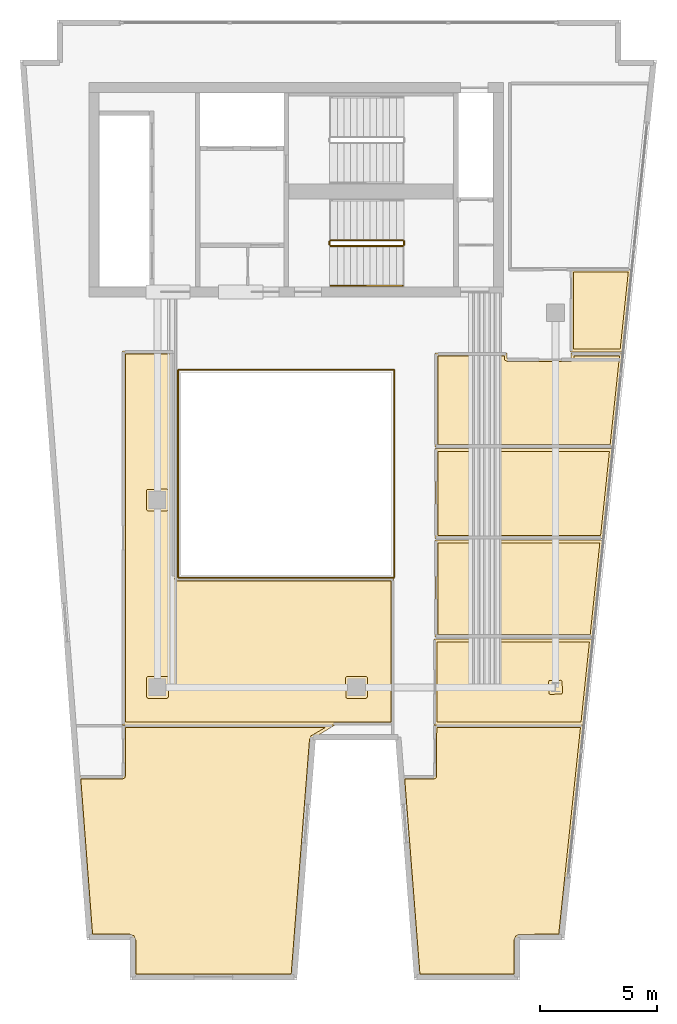
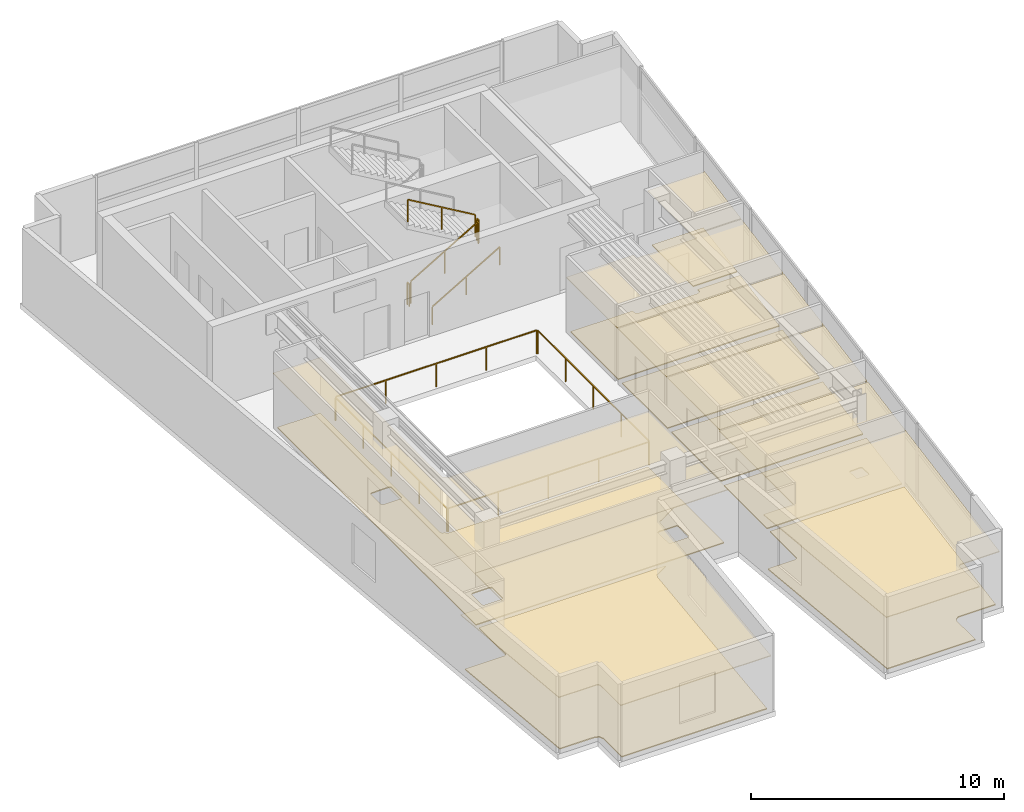
# One storey, part 5 of 6: 16 coverings, 9 railings.
"""IFC4 building model written with IfcOpenShell, lengths in metres."""

import ifcopenshell
import ifcopenshell.guid

model = None  # the IFC model being written
_history = None  # IfcOwnerHistory: only IFC2X3 demands one
_inside = {}  # id of a spatial element -> (the spatial element, [elements in it])
_under = {}  # id of a project, library or spatial element -> (it, [spatial elements below it])
_declared = {}  # id of a project -> (the project, [libraries it declares])
_typed = {}  # id of a type object -> (the type object, [elements of that type])
_made_of = {}  # id of a material, layer set ... -> (it, [elements and type objects made of it])


def new_model(schema):
    """Start an empty IFC model of exactly this schema.

    Asked for "IFC4X3", IfcOpenShell would pick the latest addendum, in which some entities
    have other attributes; the version numbers below select the first issue.
    IFC2X3 requires an IfcOwnerHistory on every rooted entity: one is made here for all.
    """
    global model, _history
    if schema == "IFC4X3":
        model = ifcopenshell.file(schema_version=(4, 3, 0, 0))
    else:
        model = ifcopenshell.file(schema=schema)
    _inside.clear()
    _under.clear()
    _declared.clear()
    _typed.clear()
    _made_of.clear()
    _history = None
    if model.schema == "IFC2X3":
        org = make("IfcOrganization", Name="unknown")
        user = make(
            "IfcPersonAndOrganization",
            ThePerson=make("IfcPerson", FamilyName="unknown"),
            TheOrganization=org,
        )
        app = make(
            "IfcApplication",
            ApplicationDeveloper=org,
            Version="unknown",
            ApplicationFullName="unknown",
            ApplicationIdentifier="unknown",
        )
        _history = make(
            "IfcOwnerHistory",
            OwningUser=user,
            OwningApplication=app,
            ChangeAction="ADDED",
            CreationDate=0,
        )
    return model


def make(cls, **values):
    """One entity of the class cls with the attributes given. An attribute that is None is left unset."""
    return model.create_entity(
        cls, **{name: value for name, value in values.items() if value is not None}
    )


def rooted(cls, **values):
    """An entity with a GlobalId (a new one), such as an element, a storey or a relation."""
    return make(cls, GlobalId=ifcopenshell.guid.new(), OwnerHistory=_history, **values)


def si_unit(unit_type, name, prefix=None):
    """IfcSIUnit, for example si_unit("LENGTHUNIT", "METRE", prefix="MILLI")."""
    return make("IfcSIUnit", UnitType=unit_type, Prefix=prefix, Name=name)


def assignment(units):
    """IfcUnitAssignment: the units of a project."""
    return None if units is None else make("IfcUnitAssignment", Units=units)


def point(xyz):
    """IfcCartesianPoint."""
    return None if xyz is None else make("IfcCartesianPoint", Coordinates=xyz)


def direction(xyz):
    """IfcDirection."""
    return None if xyz is None else make("IfcDirection", DirectionRatios=xyz)


def frame(location, z_axis=None, x_axis=None):
    """IfcAxis2Placement3D, a coordinate frame: its origin and axes. An axis left out is left unset."""
    return make(
        "IfcAxis2Placement3D",
        Location=point(location),
        Axis=direction(z_axis),
        RefDirection=direction(x_axis),
    )


def frame_2d(location, x_axis=None):
    """IfcAxis2Placement2D, a coordinate frame in the plane: its origin and x axis."""
    return make(
        "IfcAxis2Placement2D", Location=point(location), RefDirection=direction(x_axis)
    )


def origin():
    """The frame at (0, 0, 0) with its axes left unset."""
    return frame((0.0, 0.0, 0.0))


def origin_2d():
    """The frame at (0, 0) in the plane with its x axis left unset."""
    return frame_2d((0.0, 0.0))


def place(relative_to, where):
    """IfcLocalPlacement: puts the frame where relative to a parent placement (None: the world)."""
    return make(
        "IfcLocalPlacement", PlacementRelTo=relative_to, RelativePlacement=where
    )


def context(
    kind, dimensions, precision=None, world=None, true_north=None, identifier=None
):
    """IfcGeometricRepresentationContext, for example the 3D "Model" context."""
    return make(
        "IfcGeometricRepresentationContext",
        ContextIdentifier=identifier,
        ContextType=kind,
        CoordinateSpaceDimension=dimensions,
        Precision=precision,
        WorldCoordinateSystem=world,
        TrueNorth=true_north,
    )


def subcontext(parent, identifier, kind, view, scale=None):
    """IfcGeometricRepresentationSubContext, for example "Body" below "Model"."""
    return make(
        "IfcGeometricRepresentationSubContext",
        ContextIdentifier=identifier,
        ContextType=kind,
        ParentContext=parent,
        TargetScale=scale,
        TargetView=view,
    )


def project(units=None, contexts=None):
    """IfcProject with its units and contexts."""
    return rooted(
        "IfcProject",
        Name="project",
        RepresentationContexts=contexts,
        UnitsInContext=assignment(units),
    )


def spatial(cls, under=None, at=None, **own):
    """A site, building, storey or space (cls), placed at a placement, below another one or the project."""
    s = rooted(cls, ObjectPlacement=at, **own)
    if under is not None:
        _under.setdefault(under.id(), (under, []))[1].append(s)
    return s


def polyline(points):
    """IfcPolyline through the points."""
    return make("IfcPolyline", Points=[point(p) for p in points])


def profile(cls, at=None, kind="AREA", **sizes):
    """A parametric profile (cls). Its sizes go by their IFC names, for example OverallWidth=200.0."""
    return make(cls, ProfileType=kind, Position=at, **sizes)


def rectangle(**sizes):
    """IfcRectangleProfileDef."""
    return profile("IfcRectangleProfileDef", **sizes)


def outline(outer, holes=None, kind="AREA"):
    """IfcArbitraryClosedProfileDef: a profile drawn as a closed curve; with holes, ...WithVoids."""
    if holes is None:
        return make("IfcArbitraryClosedProfileDef", ProfileType=kind, OuterCurve=outer)
    return make(
        "IfcArbitraryProfileDefWithVoids",
        ProfileType=kind,
        OuterCurve=outer,
        InnerCurves=holes,
    )


def extrude(swept, where, along, depth):
    """IfcExtrudedAreaSolid: the profile swept, set in the frame where, extruded along a direction by depth."""
    return make(
        "IfcExtrudedAreaSolid",
        SweptArea=swept,
        Position=where,
        ExtrudedDirection=direction(along),
        Depth=depth,
    )


def shape(context_of_items, identifier, shape_type, items):
    """IfcShapeRepresentation: the items that make up one representation, for example the "Body"."""
    return make(
        "IfcShapeRepresentation",
        ContextOfItems=context_of_items,
        RepresentationIdentifier=identifier,
        RepresentationType=shape_type,
        Items=items,
    )


def material(Name=None, Category=None):
    """IfcMaterial."""
    return make("IfcMaterial", Name=Name, Category=Category)


def layer(
    of_material, thickness, ventilated=None, Name=None, Category=None, Priority=None
):
    """IfcMaterialLayer: one layer of a wall or slab, of a material (None: an air gap)."""
    return make(
        "IfcMaterialLayer",
        Material=of_material,
        LayerThickness=thickness,
        IsVentilated=ventilated,
        Name=Name,
        Category=Category,
        Priority=Priority,
    )


def layer_set(layers, Name=None):
    """IfcMaterialLayerSet."""
    return make("IfcMaterialLayerSet", MaterialLayers=layers, LayerSetName=Name)


def made_of(thing, what):
    """Note that an element or type object is made of a material, layer set ...; save() writes the relation."""
    if what is not None:
        _made_of.setdefault(what.id(), (what, []))[1].append(thing)
    return thing


def type_object(cls, material=None, **own):
    """A type object (cls), such as IfcWallType, which elements share."""
    return made_of(rooted(cls, **own), material)


def element(
    cls,
    number,
    at=None,
    inside=None,
    cuts=None,
    type_object=None,
    material=None,
    context=None,
    identifier="Body",
    shape_type=None,
    held_by="IfcProductDefinitionShape",
    body=None,
    shapes=None,
    **own,
):
    """One element of the class cls, such as IfcWall. Its Tag is "e" and its number.

    at: its placement. inside: the storey or other place that contains it. cuts: it is an
    opening in that element (IfcRelVoidsElement). A single representation is given by context,
    identifier, shape_type and body (its items); several are given by shapes. held_by: the class
    of the entity that holds the representations. save() writes the other relations.
    """
    e = rooted(cls, Tag="e%d" % number, ObjectPlacement=at, **own)
    if body is not None:
        shapes = [shape(context, identifier, shape_type, body)]
    if shapes is not None:
        e.Representation = make(held_by, Representations=shapes)
    if inside is not None:
        _inside.setdefault(inside.id(), (inside, []))[1].append(e)
    if cuts is not None:
        rooted(
            "IfcRelVoidsElement", RelatingBuildingElement=cuts, RelatedOpeningElement=e
        )
    if type_object is not None:
        _typed.setdefault(type_object.id(), (type_object, []))[1].append(e)
    return made_of(e, material)


def aggregate(whole, parts):
    """IfcRelAggregates: a whole, such as a stair, and the parts it consists of."""
    return rooted("IfcRelAggregates", RelatingObject=whole, RelatedObjects=parts)


def save(model, path):
    """Write the relations noted so far, then the file.

    IfcRelAggregates (storeys below a building ...), IfcRelContainedInSpatialStructure (elements
    in a storey), IfcRelDefinesByType, IfcRelAssociatesMaterial and IfcRelDeclares: one each for
    every whole, place, type object, material and project.
    """
    for whole, parts in _under.values():
        aggregate(whole, parts)
    for where, things in _inside.values():
        rooted(
            "IfcRelContainedInSpatialStructure",
            RelatedElements=things,
            RelatingStructure=where,
        )
    for kind, things in _typed.values():
        rooted("IfcRelDefinesByType", RelatedObjects=things, RelatingType=kind)
    for what, things in _made_of.values():
        rooted("IfcRelAssociatesMaterial", RelatedObjects=things, RelatingMaterial=what)
    for by, libraries in _declared.values():
        rooted("IfcRelDeclares", RelatingContext=by, RelatedDefinitions=libraries)
    model.write(path)


model = new_model("IFC4")

# Units and contexts
model_context = context("Model", 3, precision=1e-05, world=origin(), true_north=direction((0.0, 1.0)))
body_context = subcontext(model_context, "Body", "Model", "MODEL_VIEW")
ifc_project = project(units=[si_unit("LENGTHUNIT", "METRE"), si_unit("AREAUNIT", "SQUARE_METRE"), si_unit("VOLUMEUNIT", "CUBIC_METRE"), si_unit("PLANEANGLEUNIT", "RADIAN"), si_unit("MASSUNIT", "GRAM", prefix="KILO")], contexts=[model_context])

# Site, building, storey
site_placement = place(None, origin())
site = spatial("IfcSite", under=ifc_project, at=site_placement, CompositionType="ELEMENT")
building_placement = place(site_placement, origin())
building = spatial("IfcBuilding", under=site, at=building_placement, Name="Caeloran Harvest Quay", CompositionType="ELEMENT")
storey_placement = place(building_placement, frame((0.0, 0.0, 280.39990234375)))
storey = spatial("IfcBuildingStorey", under=building, at=storey_placement, Name="L67", CompositionType="ELEMENT", Elevation=280.39990234375)

# Coverings
ifc_material_1 = material(Name="Perforated Mineral-Fibre Acoustic Ceiling Tile", Category="ceiling")
ifc_layer_1 = layer(ifc_material_1, 0.0400390625, Name="Perforated Mineral-Fibre Acoustic Ceiling Tile")
ifc_layer_set_1 = layer_set([ifc_layer_1], Name="Perforated Mineral-Fibre Acoustic Ceiling Tile")
covering_type_1 = type_object("IfcCoveringType", Name="COV-CEILING-ACOUSTIC", PredefinedType="CEILING", material=ifc_layer_set_1)
covering_1_placement = place(storey_placement, frame((0.0, 0.0, 2.60009765625)))
element("IfcCovering", 1, at=covering_1_placement, inside=storey, type_object=covering_type_1, Name="L67 Male Washroom WC Acoustic Ceiling", PredefinedType="CEILING", context=body_context, shape_type="SweptSolid", body=[
    extrude(outline(polyline([(23.429931640625, 29.280029296875), (23.43017578125, 29.048095703125), (23.450927734375, 29.030029296875), (26.152099609375, 29.030029296875), (26.169921875, 29.048095703125), (26.169921875, 29.280029296875), (28.365478515625, 29.280029296875), (27.943359375, 25.260009765625), (20.360107421875, 25.260009765625), (20.360107421875, 29.280029296875), (23.429931640625, 29.280029296875)])), origin(), (0.0, 0.0, 1.0), 0.0400390625),
])
covering_2_placement = place(storey_placement, frame((0.0, 0.0, 2.60009765625)))
element("IfcCovering", 2, at=covering_2_placement, inside=storey, type_object=covering_type_1, Name="L67 Female Washroom WC Acoustic Ceiling", PredefinedType="CEILING", context=body_context, shape_type="SweptSolid", body=[
    extrude(outline(polyline([(27.93603515625, 25.18994140625), (27.53369140625, 21.360107421875), (20.360107421875, 21.360107421875), (20.360107421875, 25.18994140625), (27.93603515625, 25.18994140625)])), origin(), (0.0, 0.0, 1.0), 0.0400390625),
])
covering_3_placement = place(storey_placement, frame((0.0, 0.0, 2.60009765625)))
element("IfcCovering", 3, at=covering_3_placement, inside=storey, type_object=covering_type_1, Name="L67 Accessible Unisex Washroom WC Acoustic Ceiling", PredefinedType="CEILING", context=body_context, shape_type="SweptSolid", body=[
    extrude(outline(polyline([(27.5263671875, 21.2900390625), (27.090576171875, 17.139892578125), (20.360107421875, 17.139892578125), (20.360107421875, 21.2900390625), (27.5263671875, 21.2900390625)])), origin(), (0.0, 0.0, 1.0), 0.0400390625),
])
covering_4_placement = place(storey_placement, frame((0.0, 0.0, 2.60009765625)))
element("IfcCovering", 4, at=covering_4_placement, inside=storey, type_object=covering_type_1, Name="Executive Sky-Floor Office Acoustic Ceiling", PredefinedType="CEILING", context=body_context, shape_type="SweptSolid", body=[
    extrude(outline(polyline([(7.010009765625, 11.2099609375), (7.010009765625, 13.39990234375), (16.09521484375, 13.39990234375), (15.251708984375, 12.889892578125), (15.1728515625, 12.86572265625), (15.134033203125, 12.826171875), (15.11376953125, 12.774658203125), (14.322021484375, 2.639892578125), (7.45849609375, 2.639892578125), (7.45849609375, 4.198974609375), (7.44775390625, 4.253662109375), (7.41748046875, 4.299072265625), (7.3720703125, 4.329345703125), (7.3173828125, 4.340087890625), (5.618896484375, 4.340087890625), (5.096435546875, 11.2099609375), (7.010009765625, 11.2099609375)])), origin(), (0.0, 0.0, 1.0), 0.0400390625),
])
covering_5_placement = place(storey_placement, frame((0.0, 0.0, 2.60009765625)))
element("IfcCovering", 5, at=covering_5_placement, inside=storey, type_object=covering_type_1, Name="Strategic Foresight Laboratory Acoustic Ceiling", PredefinedType="CEILING", context=body_context, shape_type="SweptSolid", body=[
    extrude(outline(polyline([(20.31005859375, 11.2099609375), (20.31005859375, 13.39990234375), (26.697509765625, 13.39990234375), (25.74609375, 4.340087890625), (23.994384765625, 4.340087890625), (23.90478515625, 4.30810546875), (23.8642578125, 4.253662109375), (23.853515625, 4.198974609375), (23.853515625, 2.639892578125), (19.599853515625, 2.639892578125), (18.930908203125, 11.2099609375), (20.31005859375, 11.2099609375)])), origin(), (0.0, 0.0, 1.0), 0.0400390625),
])
covering_6_placement = place(storey_placement, frame((0.0, 0.0, 2.60009765625)))
element("IfcCovering", 6, at=covering_6_placement, inside=storey, type_object=covering_type_1, Name="Chairman Corner Office Acoustic Ceiling", PredefinedType="CEILING", context=body_context, shape_type="SweptSolid", body=[
    extrude(outline(polyline([(20.31005859375, 17.06005859375), (27.08203125, 17.06005859375), (26.697509765625, 13.39990234375), (20.31005859375, 13.39990234375), (20.31005859375, 17.06005859375)])), origin(), (0.0, 0.0, 1.0), 0.0400390625),
])
covering_7_placement = place(storey_placement, frame((0.0, 0.0, 2.60009765625)))
element("IfcCovering", 7, at=covering_7_placement, inside=storey, type_object=covering_type_1, Name="Managing Principal Office Acoustic Ceiling", PredefinedType="CEILING", context=body_context, shape_type="SweptSolid", body=[
    extrude(outline(polyline([(9.310791015625, 19.753173828125), (9.360107421875, 19.68701171875), (9.360107421875, 19.659912109375), (18.590087890625, 19.659912109375), (18.590087890625, 13.39990234375), (7.010009765625, 13.39990234375), (7.010009765625, 29.360107421875), (9.2099609375, 29.360107421875), (9.2099609375, 19.760009765625), (9.310791015625, 19.753173828125)])), origin(), (0.0, 0.0, 1.0), 0.0400390625),
])
covering_8_placement = place(storey_placement, frame((0.0, 0.0, 2.60009765625)))
element("IfcCovering", 8, at=covering_8_placement, inside=storey, type_object=covering_type_1, Name="Executive Sky-Floor Office 5 Acoustic Ceiling", PredefinedType="CEILING", context=body_context, shape_type="SweptSolid", body=[
    extrude(outline(polyline([(26.139892578125, 32.798095703125), (26.12158203125, 32.85009765625), (28.740478515625, 32.85009765625), (28.370849609375, 29.330078125), (26.139892578125, 29.330078125), (26.139892578125, 32.798095703125)])), origin(), (0.0, 0.0, 1.0), 0.0400390625),
])
ifc_material_2 = material(Name="Calcium-Sulphate Raised Access Floor and Terrazzo Finish", Category="flooring")
ifc_layer_2 = layer(ifc_material_2, 0.050048828125, Name="Calcium-Sulphate Raised Access Floor and Terrazzo Finish")
ifc_layer_set_2 = layer_set([ifc_layer_2], Name="Calcium-Sulphate Raised Access Floor and Terrazzo Finish")
covering_type_2 = type_object("IfcCoveringType", Name="COV-FLOOR-RAISED", PredefinedType="FLOORING", material=ifc_layer_set_2)
covering_9_placement = place(storey_placement, origin())
element("IfcCovering", 9, at=covering_9_placement, inside=storey, type_object=covering_type_2, Name="L67 Male Washroom WC Raised Finish Flooring", PredefinedType="FLOORING", context=body_context, shape_type="SweptSolid", body=[
    extrude(outline(polyline([(23.31005859375, 29.159912109375), (23.32861328125, 28.980712890625), (23.449951171875, 28.909912109375), (26.159912109375, 28.910400390625), (26.275146484375, 28.987548828125), (26.2900390625, 29.159912109375), (28.232421875, 29.159912109375), (27.835205078125, 25.3798828125), (20.47998046875, 25.3798828125), (20.47998046875, 29.159912109375), (23.31005859375, 29.159912109375)])), origin(), (0.0, 0.0, 1.0), 0.050048828125),
])
covering_10_placement = place(storey_placement, origin())
element("IfcCovering", 10, at=covering_10_placement, inside=storey, type_object=covering_type_2, Name="L67 Female Washroom WC Raised Finish Flooring", PredefinedType="FLOORING", context=body_context, shape_type="SweptSolid", body=[
    extrude(outline(polyline([(27.802734375, 25.070068359375), (27.42578125, 21.47998046875), (20.47998046875, 21.47998046875), (20.47998046875, 25.070068359375), (27.802734375, 25.070068359375)])), origin(), (0.0, 0.0, 1.0), 0.050048828125),
])
covering_11_placement = place(storey_placement, origin())
element("IfcCovering", 11, at=covering_11_placement, inside=storey, type_object=covering_type_2, Name="L67 Accessible Unisex Washroom WC Raised Finish Flooring", PredefinedType="FLOORING", context=body_context, shape_type="SweptSolid", body=[
    extrude(outline(polyline([(27.39306640625, 21.169921875), (26.982421875, 17.260009765625), (20.47998046875, 17.260009765625), (20.47998046875, 21.169921875), (27.39306640625, 21.169921875)])), origin(), (0.0, 0.0, 1.0), 0.050048828125),
])
covering_12_placement = place(storey_placement, origin())
element("IfcCovering", 12, at=covering_12_placement, inside=storey, type_object=covering_type_2, Name="Executive Sky-Floor Office Raised Finish Flooring", PredefinedType="FLOORING", context=body_context, shape_type="SweptSolid", body=[
    extrude(outline(polyline([(15.664794921875, 13.280029296875), (15.06298828125, 12.928955078125), (14.9921875, 12.770263671875), (14.2109375, 2.760009765625), (7.57861328125, 2.760009765625), (7.578369140625, 4.203857421875), (7.49951171875, 4.38671875), (7.322509765625, 4.4599609375), (5.730224609375, 4.4599609375), (5.225830078125, 11.090087890625), (7.02001953125, 11.090087890625), (7.1025390625, 11.127197265625), (7.1298828125, 11.199951171875), (7.1298828125, 13.280029296875), (15.664794921875, 13.280029296875)])), origin(), (0.0, 0.0, 1.0), 0.050048828125),
])
covering_13_placement = place(storey_placement, origin())
element("IfcCovering", 13, at=covering_13_placement, inside=storey, type_object=covering_type_2, Name="Strategic Foresight Laboratory Raised Finish Flooring", PredefinedType="FLOORING", context=body_context, shape_type="SweptSolid", body=[
    extrude(outline(polyline([(23.921875, 4.449951171875), (23.795166015625, 4.367919921875), (23.735107421875, 4.2294921875), (23.7333984375, 2.760009765625), (19.710693359375, 2.760009765625), (19.060546875, 11.090087890625), (20.323974609375, 11.090087890625), (20.41357421875, 11.14208984375), (20.429931640625, 13.280029296875), (26.564453125, 13.280029296875), (25.637939453125, 4.4599609375), (23.921875, 4.449951171875)])), origin(), (0.0, 0.0, 1.0), 0.050048828125),
])
covering_14_placement = place(storey_placement, origin())
element("IfcCovering", 14, at=covering_14_placement, inside=storey, type_object=covering_type_2, Name="Chairman Corner Office Raised Finish Flooring", PredefinedType="FLOORING", context=body_context, shape_type="SweptSolid", body=[
    extrude(outline(polyline([(20.429931640625, 13.52001953125), (20.429931640625, 16.93994140625), (26.94873046875, 16.93994140625), (26.589599609375, 13.52001953125), (20.429931640625, 13.52001953125)]), holes=[polyline([(25.202392578125, 15.230712890625), (25.22021484375, 14.726318359375), (25.274169921875, 14.697509765625), (25.768798828125, 14.715087890625), (25.798095703125, 14.777099609375), (25.77978515625, 15.273681640625), (25.718017578125, 15.302978515625), (25.231201171875, 15.284912109375), (25.202392578125, 15.230712890625)])]), origin(), (0.0, 0.0, 1.0), 0.050048828125),
])
covering_15_placement = place(storey_placement, origin())
element("IfcCovering", 15, at=covering_15_placement, inside=storey, type_object=covering_type_2, Name="Managing Principal Office Raised Finish Flooring", PredefinedType="FLOORING", context=body_context, shape_type="SweptSolid", body=[
    extrude(outline(polyline([(9.240478515625, 19.639892578125), (9.275146484375, 19.569580078125), (9.35009765625, 19.5400390625), (18.469970703125, 19.5400390625), (18.469970703125, 13.52001953125), (7.1298828125, 13.52001953125), (7.1298828125, 29.239990234375), (9.090087890625, 29.239990234375), (9.090087890625, 19.75), (9.1357421875, 19.660888671875), (9.240478515625, 19.639892578125)]), holes=[polyline([(16.530029296875, 15.389892578125), (16.548095703125, 14.55908203125), (16.602294921875, 14.530517578125), (17.389892578125, 14.530029296875), (17.446533203125, 14.553466796875), (17.469970703125, 14.610107421875), (17.469970703125, 15.389892578125), (17.446533203125, 15.446533203125), (17.389892578125, 15.469970703125), (16.610107421875, 15.469970703125), (16.553466796875, 15.446533203125), (16.530029296875, 15.389892578125)]), polyline([(8.030029296875, 14.610107421875), (8.053466796875, 14.553466796875), (8.102294921875, 14.530517578125), (8.889892578125, 14.530029296875), (8.946533203125, 14.553466796875), (8.969970703125, 14.610107421875), (8.969970703125, 15.389892578125), (8.946533203125, 15.446533203125), (8.889892578125, 15.469970703125), (8.110107421875, 15.469970703125), (8.053466796875, 15.446533203125), (8.030029296875, 15.389892578125), (8.030029296875, 14.610107421875)]), polyline([(8.889892578125, 23.469970703125), (8.05908203125, 23.451904296875), (8.030517578125, 23.397705078125), (8.030029296875, 22.610107421875), (8.053466796875, 22.553466796875), (8.110107421875, 22.530029296875), (8.889892578125, 22.530029296875), (8.946533203125, 22.553466796875), (8.969970703125, 22.610107421875), (8.969970703125, 23.389892578125), (8.946533203125, 23.446533203125), (8.889892578125, 23.469970703125)])]), origin(), (0.0, 0.0, 1.0), 0.050048828125),
])
covering_16_placement = place(storey_placement, origin())
element("IfcCovering", 16, at=covering_16_placement, inside=storey, type_object=covering_type_2, Name="Executive Sky-Floor Office 5 Raised Finish Flooring", PredefinedType="FLOORING", context=body_context, shape_type="SweptSolid", body=[
    extrude(outline(polyline([(26.260009765625, 32.72998046875), (28.607421875, 32.72998046875), (28.2626953125, 29.449951171875), (26.260009765625, 29.449951171875), (26.260009765625, 32.72998046875)])), origin(), (0.0, 0.0, 1.0), 0.050048828125),
])

# Railings
ifc_material_3 = material(Name="Powder-Coated Steel Post and Laminated Glass Guardrail", Category="steel")
ifc_layer_3 = layer(ifc_material_3, 0.06005859375, Name="Powder-Coated Steel Post and Laminated Glass Guardrail")
ifc_layer_set_3 = layer_set([ifc_layer_3], Name="Powder-Coated Steel Post and Laminated Glass Guardrail")
railing_type_1 = type_object("IfcRailingType", Name="GUARD-ATRIUM-1150", PredefinedType="GUARDRAIL", material=ifc_layer_set_3)
railing_1_placement = place(storey_placement, frame((9.412109375, 19.679931640625, 0.0)))
element("IfcRailing", 17, at=railing_1_placement, inside=storey, type_object=railing_type_1, Name="L67 Skylit Atrium Void Perimeter Guardrail Seg 1", PredefinedType="GUARDRAIL", context=body_context, shape_type="SweptSolid", body=[
    extrude(rectangle(XDim=0.048095703125, YDim=0.048095703125, at=origin_2d()), frame((0.0, 0.0, 1.1259765625), z_axis=(1.0, 0.0, 0.0), x_axis=(0.0, 1.0, 0.0)), (0.0, 0.0, 1.0), 9.17578125),
    extrude(rectangle(XDim=0.0419921875, YDim=0.0419921875, at=origin_2d()), origin(), (0.0, 0.0, 1.0), 1.101806640625),
    extrude(rectangle(XDim=0.0419921875, YDim=0.0419921875, at=origin_2d()), frame((2.2939453125, 0.0, 0.0)), (0.0, 0.0, 1.0), 1.101806640625),
    extrude(rectangle(XDim=0.0419921875, YDim=0.0419921875, at=origin_2d()), frame((4.587890625, 0.0, 0.0)), (0.0, 0.0, 1.0), 1.101806640625),
    extrude(rectangle(XDim=0.0419921875, YDim=0.0419921875, at=origin_2d()), frame((6.8818359375, 0.0, 0.0)), (0.0, 0.0, 1.0), 1.101806640625),
    extrude(rectangle(XDim=0.0419921875, YDim=0.0419921875, at=origin_2d()), frame((9.17578125, 0.0, 0.0)), (0.0, 0.0, 1.0), 1.101806640625),
])
railing_2_placement = place(storey_placement, frame((18.6201171875, 19.7119140625, 0.0)))
element("IfcRailing", 18, at=railing_2_placement, inside=storey, type_object=railing_type_1, Name="L67 Skylit Atrium Void Perimeter Guardrail Seg 2", PredefinedType="GUARDRAIL", context=body_context, shape_type="SweptSolid", body=[
    extrude(rectangle(XDim=0.048095703125, YDim=0.048095703125, at=origin_2d()), frame((0.0, 0.0, 1.1259765625), z_axis=(0.0, 1.0, 0.0), x_axis=(-1.0, 0.0, 0.0)), (0.0, 0.0, 1.0), 8.826171875),
    extrude(rectangle(XDim=0.0419921875, YDim=0.0419921875, at=origin_2d()), origin(), (0.0, 0.0, 1.0), 1.101806640625),
    extrude(rectangle(XDim=0.0419921875, YDim=0.0419921875, at=origin_2d()), frame((0.0, 2.20654296875, 0.0)), (0.0, 0.0, 1.0), 1.101806640625),
    extrude(rectangle(XDim=0.0419921875, YDim=0.0419921875, at=origin_2d()), frame((0.0, 4.4130859375, 0.0)), (0.0, 0.0, 1.0), 1.101806640625),
    extrude(rectangle(XDim=0.0419921875, YDim=0.0419921875, at=origin_2d()), frame((0.0, 6.61962890625, 0.0)), (0.0, 0.0, 1.0), 1.101806640625),
    extrude(rectangle(XDim=0.0419921875, YDim=0.0419921875, at=origin_2d()), frame((0.0, 8.826171875, 0.0)), (0.0, 0.0, 1.0), 1.101806640625),
])
railing_3_placement = place(storey_placement, frame((18.587890625, 28.570068359375, 0.0)))
element("IfcRailing", 19, at=railing_3_placement, inside=storey, type_object=railing_type_1, Name="L67 Skylit Atrium Void Perimeter Guardrail Seg 3", PredefinedType="GUARDRAIL", context=body_context, shape_type="SweptSolid", body=[
    extrude(rectangle(XDim=0.048095703125, YDim=0.048095703125, at=origin_2d()), frame((0.0, 0.0, 1.1259765625), z_axis=(-1.0, 0.0, 0.0), x_axis=(0.0, -1.0, 0.0)), (0.0, 0.0, 1.0), 9.17578125),
    extrude(rectangle(XDim=0.0419921875, YDim=0.0419921875, at=origin_2d()), origin(), (0.0, 0.0, 1.0), 1.101806640625),
    extrude(rectangle(XDim=0.0419921875, YDim=0.0419921875, at=origin_2d()), frame((-2.2939453125, 0.0, 0.0)), (0.0, 0.0, 1.0), 1.101806640625),
    extrude(rectangle(XDim=0.0419921875, YDim=0.0419921875, at=origin_2d()), frame((-4.587890625, 0.0, 0.0)), (0.0, 0.0, 1.0), 1.101806640625),
    extrude(rectangle(XDim=0.0419921875, YDim=0.0419921875, at=origin_2d()), frame((-6.8818359375, 0.0, 0.0)), (0.0, 0.0, 1.0), 1.101806640625),
    extrude(rectangle(XDim=0.0419921875, YDim=0.0419921875, at=origin_2d()), frame((-9.17578125, 0.0, 0.0)), (0.0, 0.0, 1.0), 1.101806640625),
])
railing_4_placement = place(storey_placement, frame((9.3798828125, 28.5380859375, 0.0)))
element("IfcRailing", 20, at=railing_4_placement, inside=storey, type_object=railing_type_1, Name="L67 Skylit Atrium Void Perimeter Guardrail Seg 4", PredefinedType="GUARDRAIL", context=body_context, shape_type="SweptSolid", body=[
    extrude(rectangle(XDim=0.048095703125, YDim=0.048095703125, at=origin_2d()), frame((0.0, 0.0, 1.1259765625), z_axis=(0.0, -1.0, 0.0), x_axis=(1.0, 0.0, 0.0)), (0.0, 0.0, 1.0), 8.826171875),
    extrude(rectangle(XDim=0.0419921875, YDim=0.0419921875, at=origin_2d()), origin(), (0.0, 0.0, 1.0), 1.101806640625),
    extrude(rectangle(XDim=0.0419921875, YDim=0.0419921875, at=origin_2d()), frame((0.0, -2.20654296875, 0.0)), (0.0, 0.0, 1.0), 1.101806640625),
    extrude(rectangle(XDim=0.0419921875, YDim=0.0419921875, at=origin_2d()), frame((0.0, -4.4130859375, 0.0)), (0.0, 0.0, 1.0), 1.101806640625),
    extrude(rectangle(XDim=0.0419921875, YDim=0.0419921875, at=origin_2d()), frame((0.0, -6.61962890625, 0.0)), (0.0, 0.0, 1.0), 1.101806640625),
    extrude(rectangle(XDim=0.0419921875, YDim=0.0419921875, at=origin_2d()), frame((0.0, -8.826171875, 0.0)), (0.0, 0.0, 1.0), 1.101806640625),
])
ifc_material_4 = material(Name="Painted Steel Baluster and Top-Rail Stair Guard", Category="steel")
ifc_layer_4 = layer(ifc_material_4, 0.050048828125, Name="Painted Steel Baluster and Top-Rail Stair Guard")
ifc_layer_set_4 = layer_set([ifc_layer_4], Name="Painted Steel Baluster and Top-Rail Stair Guard")
railing_type_2 = type_object("IfcRailingType", Name="STAIR-GUARD-1100", PredefinedType="GUARDRAIL", material=ifc_layer_set_4)
railing_5_placement = place(storey_placement, frame((15.89990234375, 33.85009765625, 0.164794921875)))
element("IfcRailing", 21, at=railing_5_placement, inside=storey, type_object=railing_type_2, Name="L67 ST-C2 stair guard 1", PredefinedType="GUARDRAIL", context=body_context, shape_type="SweptSolid", body=[
    extrude(rectangle(XDim=0.048095703125, YDim=0.048095703125, at=origin_2d()), frame((0.0, 0.0, 1.076171875), z_axis=(0.862118610829, 0.0, 0.506706523406), x_axis=(0.0, 1.0, 0.0)), (0.0, 0.0, 1.0), 3.57275390625),
    extrude(rectangle(XDim=0.0419921875, YDim=0.0419921875, at=origin_2d()), origin(), (0.0, 0.0, 1.0), 1.052001953125),
    extrude(rectangle(XDim=0.0419921875, YDim=0.0419921875, at=origin_2d()), frame((1.5400390625, 0.0, 0.9052734375)), (0.0, 0.0, 1.0), 1.052001953125),
    extrude(rectangle(XDim=0.0419921875, YDim=0.0419921875, at=origin_2d()), frame((3.080078125, 0.0, 1.810302734375)), (0.0, 0.0, 1.0), 1.052001953125),
])
railing_6_placement = place(storey_placement, frame((19.030029296875, 33.89990234375, 1.97509765625)))
element("IfcRailing", 22, at=railing_6_placement, inside=storey, type_object=railing_type_2, Name="L67 ST-C2 stair guard 2", PredefinedType="GUARDRAIL", context=body_context, shape_type="SweptSolid", body=[
    extrude(rectangle(XDim=0.048095703125, YDim=0.048095703125, at=origin_2d()), frame((0.0, 0.0, 1.076171875), z_axis=(0.0, 1.0, 0.0), x_axis=(-1.0, 0.0, 0.0)), (0.0, 0.0, 1.0), 0.150146484375),
    extrude(rectangle(XDim=0.0419921875, YDim=0.0419921875, at=origin_2d()), origin(), (0.0, 0.0, 1.0), 1.052001953125),
    extrude(rectangle(XDim=0.0419921875, YDim=0.0419921875, at=origin_2d()), frame((0.0, 0.150146484375, 0.0)), (0.0, 0.0, 1.0), 1.052001953125),
])
railing_7_placement = place(storey_placement, frame((18.97998046875, 34.10009765625, 2.1396484375)))
element("IfcRailing", 23, at=railing_7_placement, inside=storey, type_object=railing_type_2, Name="L67 ST-C2 stair guard 3", PredefinedType="GUARDRAIL", context=body_context, shape_type="SweptSolid", body=[
    extrude(rectangle(XDim=0.048095703125, YDim=0.048095703125, at=origin_2d()), frame((0.0, 0.0, 1.076171875), z_axis=(-0.862088758681, 0.0, 0.506757310905), x_axis=(0.0, -1.0, 0.0)), (0.0, 0.0, 1.0), 3.57275390625),
    extrude(rectangle(XDim=0.0419921875, YDim=0.0419921875, at=origin_2d()), origin(), (0.0, 0.0, 1.0), 1.052001953125),
    extrude(rectangle(XDim=0.0419921875, YDim=0.0419921875, at=origin_2d()), frame((-1.5400390625, 0.0, 0.9052734375)), (0.0, 0.0, 1.0), 1.052001953125),
    extrude(rectangle(XDim=0.0419921875, YDim=0.0419921875, at=origin_2d()), frame((-3.080078125, 0.0, 1.810546875)), (0.0, 0.0, 1.0), 1.052001953125),
])
railing_8_placement = place(storey_placement, frame((15.85009765625, 33.89990234375, 0.0)))
element("IfcRailing", 24, at=railing_8_placement, inside=storey, type_object=railing_type_2, Name="L67 ST-C2 stair guard 4", PredefinedType="GUARDRAIL", context=body_context, shape_type="SweptSolid", body=[
    extrude(rectangle(XDim=0.048095703125, YDim=0.048095703125, at=origin_2d()), frame((0.0, 0.0, 1.076171875), z_axis=(0.0, 1.0, 0.0), x_axis=(-1.0, 0.0, 0.0)), (0.0, 0.0, 1.0), 0.150146484375),
    extrude(rectangle(XDim=0.0419921875, YDim=0.0419921875, at=origin_2d()), origin(), (0.0, 0.0, 1.0), 1.052001953125),
    extrude(rectangle(XDim=0.0419921875, YDim=0.0419921875, at=origin_2d()), frame((0.0, 0.150146484375, 0.0)), (0.0, 0.0, 1.0), 1.052001953125),
])
ifc_material_5 = material(Name="Brushed Stainless Steel Grade 304", Category="steel")
ifc_layer_5 = layer(ifc_material_5, 0.050048828125, Name="Brushed Stainless Steel Grade 304")
ifc_layer_set_5 = layer_set([ifc_layer_5], Name="Brushed Stainless Steel Grade 304")
railing_type_3 = type_object("IfcRailingType", Name="STAIR-HANDRAIL-900", PredefinedType="HANDRAIL", material=ifc_layer_set_5)
railing_9_placement = place(storey_placement, frame((15.89990234375, 32.14990234375, 0.164794921875)))
element("IfcRailing", 25, at=railing_9_placement, inside=storey, type_object=railing_type_3, Name="L67 ST-C2 stair handrail 1", PredefinedType="HANDRAIL", context=body_context, shape_type="SweptSolid", body=[
    extrude(rectangle(XDim=0.048095703125, YDim=0.048095703125, at=origin_2d()), frame((0.0, 0.0, 0.8759765625), z_axis=(0.862118610829, 0.0, 0.506706523406), x_axis=(0.0, 1.0, 0.0)), (0.0, 0.0, 1.0), 3.57275390625),
    extrude(rectangle(XDim=0.0419921875, YDim=0.0419921875, at=origin_2d()), origin(), (0.0, 0.0, 1.0), 0.851806640625),
    extrude(rectangle(XDim=0.0419921875, YDim=0.0419921875, at=origin_2d()), frame((1.5400390625, 0.0, 0.9052734375)), (0.0, 0.0, 1.0), 0.851806640625),
    extrude(rectangle(XDim=0.0419921875, YDim=0.0419921875, at=origin_2d()), frame((3.080078125, 0.0, 1.810302734375)), (0.0, 0.0, 1.0), 0.851806640625),
])

save(model, "model.ifc")
